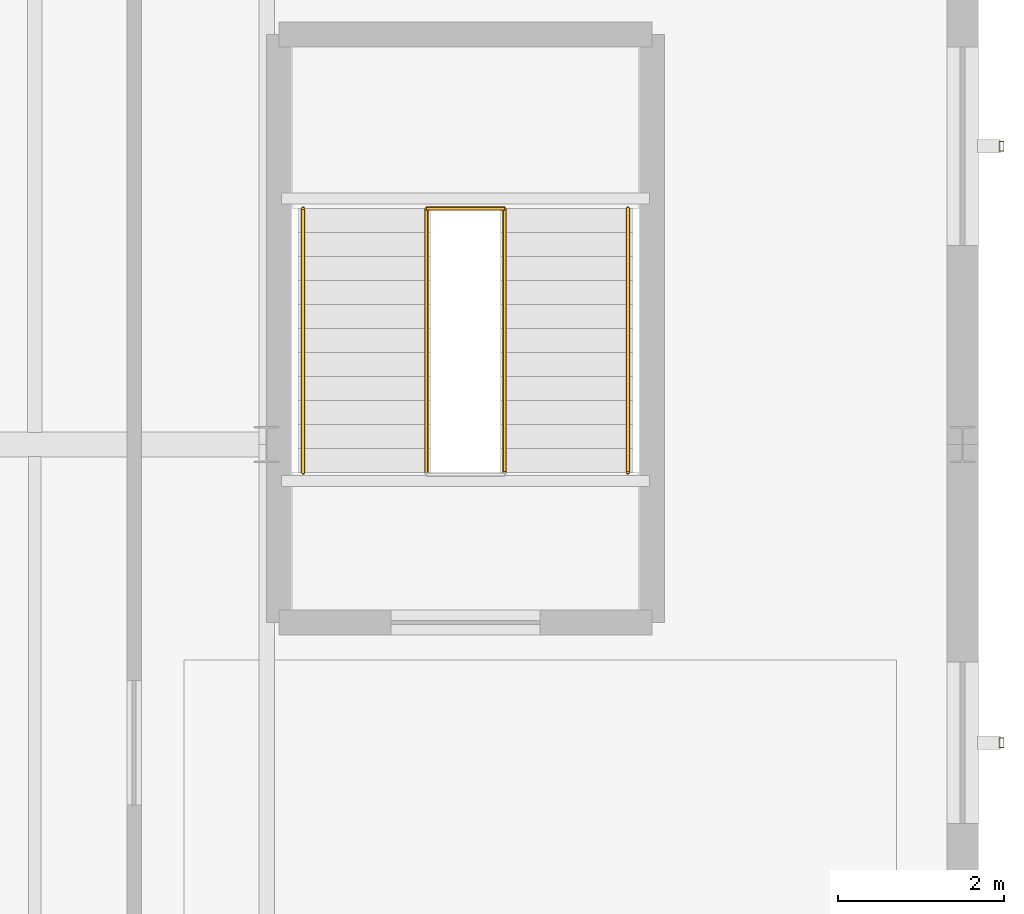
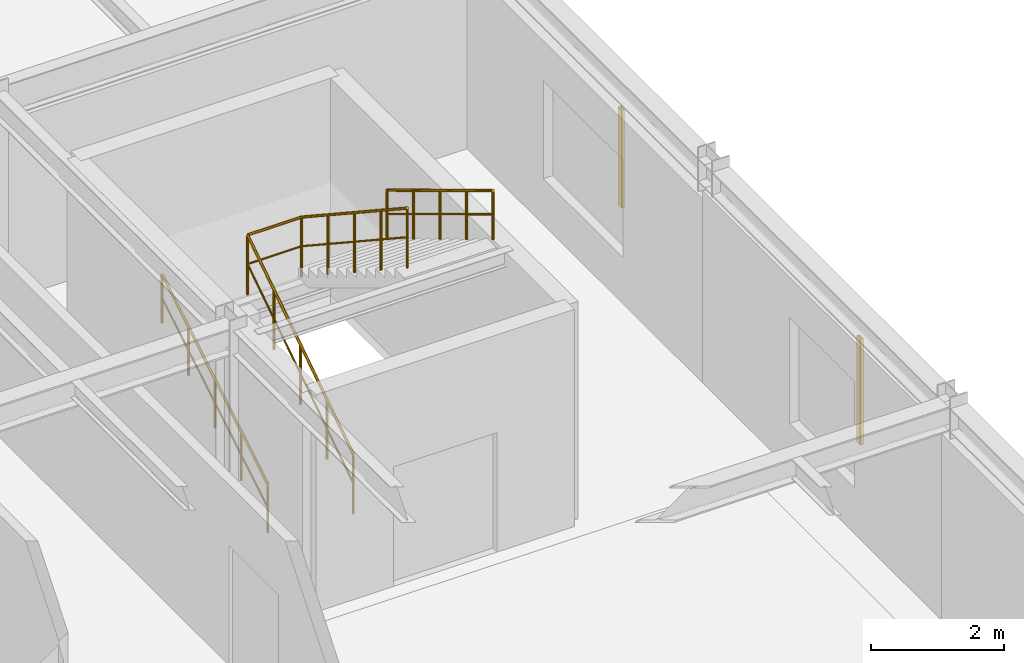
# One storey, part 105 of 109: 5 railings, 2 shading devices.
"""IFC4 building model written with IfcOpenShell, lengths in metres."""

import ifcopenshell
import ifcopenshell.guid

model = None  # the IFC model being written
_history = None  # IfcOwnerHistory: only IFC2X3 demands one
_inside = {}  # id of a spatial element -> (the spatial element, [elements in it])
_under = {}  # id of a project, library or spatial element -> (it, [spatial elements below it])
_declared = {}  # id of a project -> (the project, [libraries it declares])
_typed = {}  # id of a type object -> (the type object, [elements of that type])
_made_of = {}  # id of a material, layer set ... -> (it, [elements and type objects made of it])


def new_model(schema):
    """Start an empty IFC model of exactly this schema.

    Asked for "IFC4X3", IfcOpenShell would pick the latest addendum, in which some entities
    have other attributes; the version numbers below select the first issue.
    IFC2X3 requires an IfcOwnerHistory on every rooted entity: one is made here for all.
    """
    global model, _history
    if schema == "IFC4X3":
        model = ifcopenshell.file(schema_version=(4, 3, 0, 0))
    else:
        model = ifcopenshell.file(schema=schema)
    _inside.clear()
    _under.clear()
    _declared.clear()
    _typed.clear()
    _made_of.clear()
    _history = None
    if model.schema == "IFC2X3":
        org = make("IfcOrganization", Name="unknown")
        user = make(
            "IfcPersonAndOrganization",
            ThePerson=make("IfcPerson", FamilyName="unknown"),
            TheOrganization=org,
        )
        app = make(
            "IfcApplication",
            ApplicationDeveloper=org,
            Version="unknown",
            ApplicationFullName="unknown",
            ApplicationIdentifier="unknown",
        )
        _history = make(
            "IfcOwnerHistory",
            OwningUser=user,
            OwningApplication=app,
            ChangeAction="ADDED",
            CreationDate=0,
        )
    return model


def make(cls, **values):
    """One entity of the class cls with the attributes given. An attribute that is None is left unset."""
    return model.create_entity(
        cls, **{name: value for name, value in values.items() if value is not None}
    )


def rooted(cls, **values):
    """An entity with a GlobalId (a new one), such as an element, a storey or a relation."""
    return make(cls, GlobalId=ifcopenshell.guid.new(), OwnerHistory=_history, **values)


def si_unit(unit_type, name, prefix=None):
    """IfcSIUnit, for example si_unit("LENGTHUNIT", "METRE", prefix="MILLI")."""
    return make("IfcSIUnit", UnitType=unit_type, Prefix=prefix, Name=name)


def derived_unit(unit_type, elements):
    """IfcDerivedUnit: a product of units, each with its exponent."""
    return make(
        "IfcDerivedUnit",
        Elements=[
            make("IfcDerivedUnitElement", Unit=unit, Exponent=power)
            for unit, power in elements
        ],
        UnitType=unit_type,
    )


def assignment(units):
    """IfcUnitAssignment: the units of a project."""
    return None if units is None else make("IfcUnitAssignment", Units=units)


def point(xyz):
    """IfcCartesianPoint."""
    return None if xyz is None else make("IfcCartesianPoint", Coordinates=xyz)


def direction(xyz):
    """IfcDirection."""
    return None if xyz is None else make("IfcDirection", DirectionRatios=xyz)


def frame(location, z_axis=None, x_axis=None):
    """IfcAxis2Placement3D, a coordinate frame: its origin and axes. An axis left out is left unset."""
    return make(
        "IfcAxis2Placement3D",
        Location=point(location),
        Axis=direction(z_axis),
        RefDirection=direction(x_axis),
    )


def frame_2d(location, x_axis=None):
    """IfcAxis2Placement2D, a coordinate frame in the plane: its origin and x axis."""
    return make(
        "IfcAxis2Placement2D", Location=point(location), RefDirection=direction(x_axis)
    )


def origin():
    """The frame at (0, 0, 0) with its axes left unset."""
    return frame((0.0, 0.0, 0.0))


def origin_2d():
    """The frame at (0, 0) in the plane with its x axis left unset."""
    return frame_2d((0.0, 0.0))


def place(relative_to, where):
    """IfcLocalPlacement: puts the frame where relative to a parent placement (None: the world)."""
    return make(
        "IfcLocalPlacement", PlacementRelTo=relative_to, RelativePlacement=where
    )


def context(
    kind, dimensions, precision=None, world=None, true_north=None, identifier=None
):
    """IfcGeometricRepresentationContext, for example the 3D "Model" context."""
    return make(
        "IfcGeometricRepresentationContext",
        ContextIdentifier=identifier,
        ContextType=kind,
        CoordinateSpaceDimension=dimensions,
        Precision=precision,
        WorldCoordinateSystem=world,
        TrueNorth=true_north,
    )


def subcontext(parent, identifier, kind, view, scale=None):
    """IfcGeometricRepresentationSubContext, for example "Body" below "Model"."""
    return make(
        "IfcGeometricRepresentationSubContext",
        ContextIdentifier=identifier,
        ContextType=kind,
        ParentContext=parent,
        TargetScale=scale,
        TargetView=view,
    )


def project(units=None, contexts=None):
    """IfcProject with its units and contexts."""
    return rooted(
        "IfcProject",
        Name="project",
        RepresentationContexts=contexts,
        UnitsInContext=assignment(units),
    )


def spatial(cls, under=None, at=None, **own):
    """A site, building, storey or space (cls), placed at a placement, below another one or the project."""
    s = rooted(cls, ObjectPlacement=at, **own)
    if under is not None:
        _under.setdefault(under.id(), (under, []))[1].append(s)
    return s


def profile(cls, at=None, kind="AREA", **sizes):
    """A parametric profile (cls). Its sizes go by their IFC names, for example OverallWidth=200.0."""
    return make(cls, ProfileType=kind, Position=at, **sizes)


def hollow_rectangle(**sizes):
    """IfcRectangleHollowProfileDef."""
    return profile("IfcRectangleHollowProfileDef", **sizes)


def circle(**sizes):
    """IfcCircleProfileDef."""
    return profile("IfcCircleProfileDef", **sizes)


def extrude(swept, where, along, depth):
    """IfcExtrudedAreaSolid: the profile swept, set in the frame where, extruded along a direction by depth."""
    return make(
        "IfcExtrudedAreaSolid",
        SweptArea=swept,
        Position=where,
        ExtrudedDirection=direction(along),
        Depth=depth,
    )


def shape(context_of_items, identifier, shape_type, items):
    """IfcShapeRepresentation: the items that make up one representation, for example the "Body"."""
    return make(
        "IfcShapeRepresentation",
        ContextOfItems=context_of_items,
        RepresentationIdentifier=identifier,
        RepresentationType=shape_type,
        Items=items,
    )


def material(Name=None, Category=None):
    """IfcMaterial."""
    return make("IfcMaterial", Name=Name, Category=Category)


def material_profile(
    of_material, cross_section, Name=None, Category=None, Priority=None
):
    """IfcMaterialProfile: a cross section and its material."""
    return make(
        "IfcMaterialProfile",
        Name=Name,
        Material=of_material,
        Profile=cross_section,
        Priority=Priority,
        Category=Category,
    )


def profile_set(profiles, Name=None, composite=None):
    """IfcMaterialProfileSet."""
    return make(
        "IfcMaterialProfileSet",
        Name=Name,
        MaterialProfiles=profiles,
        CompositeProfile=composite,
    )


def made_of(thing, what):
    """Note that an element or type object is made of a material, layer set ...; save() writes the relation."""
    if what is not None:
        _made_of.setdefault(what.id(), (what, []))[1].append(thing)
    return thing


def type_object(cls, material=None, **own):
    """A type object (cls), such as IfcWallType, which elements share."""
    return made_of(rooted(cls, **own), material)


def element(
    cls,
    number,
    at=None,
    inside=None,
    cuts=None,
    type_object=None,
    material=None,
    context=None,
    identifier="Body",
    shape_type=None,
    held_by="IfcProductDefinitionShape",
    body=None,
    shapes=None,
    **own,
):
    """One element of the class cls, such as IfcWall. Its Tag is "e" and its number.

    at: its placement. inside: the storey or other place that contains it. cuts: it is an
    opening in that element (IfcRelVoidsElement). A single representation is given by context,
    identifier, shape_type and body (its items); several are given by shapes. held_by: the class
    of the entity that holds the representations. save() writes the other relations.
    """
    e = rooted(cls, Tag="e%d" % number, ObjectPlacement=at, **own)
    if body is not None:
        shapes = [shape(context, identifier, shape_type, body)]
    if shapes is not None:
        e.Representation = make(held_by, Representations=shapes)
    if inside is not None:
        _inside.setdefault(inside.id(), (inside, []))[1].append(e)
    if cuts is not None:
        rooted(
            "IfcRelVoidsElement", RelatingBuildingElement=cuts, RelatedOpeningElement=e
        )
    if type_object is not None:
        _typed.setdefault(type_object.id(), (type_object, []))[1].append(e)
    return made_of(e, material)


def aggregate(whole, parts):
    """IfcRelAggregates: a whole, such as a stair, and the parts it consists of."""
    return rooted("IfcRelAggregates", RelatingObject=whole, RelatedObjects=parts)


def save(model, path):
    """Write the relations noted so far, then the file.

    IfcRelAggregates (storeys below a building ...), IfcRelContainedInSpatialStructure (elements
    in a storey), IfcRelDefinesByType, IfcRelAssociatesMaterial and IfcRelDeclares: one each for
    every whole, place, type object, material and project.
    """
    for whole, parts in _under.values():
        aggregate(whole, parts)
    for where, things in _inside.values():
        rooted(
            "IfcRelContainedInSpatialStructure",
            RelatedElements=things,
            RelatingStructure=where,
        )
    for kind, things in _typed.values():
        rooted("IfcRelDefinesByType", RelatedObjects=things, RelatingType=kind)
    for what, things in _made_of.values():
        rooted("IfcRelAssociatesMaterial", RelatedObjects=things, RelatingMaterial=what)
    for by, libraries in _declared.values():
        rooted("IfcRelDeclares", RelatingContext=by, RelatedDefinitions=libraries)
    model.write(path)


model = new_model("IFC4")

# Units and contexts
model_context = context("Model", 3, precision=1e-05, world=origin(), true_north=direction((0.0, 1.0)))
body_context = subcontext(model_context, "Body", "Model", "MODEL_VIEW")
ifc_project = project(units=[si_unit("LENGTHUNIT", "METRE"), si_unit("AREAUNIT", "SQUARE_METRE"), si_unit("VOLUMEUNIT", "CUBIC_METRE"), si_unit("PLANEANGLEUNIT", "RADIAN"), si_unit("MASSUNIT", "GRAM", prefix="KILO"), derived_unit("THERMALTRANSMITTANCEUNIT", [(si_unit("MASSUNIT", "GRAM", prefix="KILO"), 1), (si_unit("TIMEUNIT", "SECOND"), -3), (si_unit("THERMODYNAMICTEMPERATUREUNIT", "KELVIN"), -1)])], contexts=[model_context])

# Site, building, storey
site_placement = place(None, origin())
site = spatial("IfcSite", under=ifc_project, at=site_placement, CompositionType="ELEMENT")
building_placement = place(site_placement, origin())
building = spatial("IfcBuilding", under=site, at=building_placement, Name="Kharveza Railside Sports Centre", CompositionType="ELEMENT")
storey_placement = place(building_placement, frame((0.0, 0.0, 4.5)))
storey = spatial("IfcBuildingStorey", under=building, at=storey_placement, Name="L01", CompositionType="ELEMENT", Elevation=4.5)

# Railings
ifc_material_1 = material(Name="Steel S275JR", Category="steel")
railing_type_1 = type_object("IfcRailingType", Name="RL-GD110", PredefinedType="GUARDRAIL", material=ifc_material_1)
railing_1_placement = place(storey_placement, frame((161.530029296875, 78.860107421875, 0.0)))
element("IfcRailing", 1, at=railing_1_placement, inside=storey, type_object=railing_type_1, Name="STR-ST4-L01-GD1", PredefinedType="GUARDRAIL", context=body_context, shape_type="SweptSolid", body=[
    extrude(circle(Radius=0.02392578125, at=origin_2d()), frame((0.0, 0.0, 1.09619140625), z_axis=(0.0, 0.835242474824, 0.549881812983), x_axis=(-1.0, 0.0, 0.0)), (0.0, 0.0, 1.0), 3.819091796875),
    extrude(circle(Radius=0.01611328125, at=origin_2d()), frame((0.0, 0.0, 0.56005859375), z_axis=(0.0, 0.835242474824, 0.549881812983), x_axis=(-1.0, 0.0, 0.0)), (0.0, 0.0, 1.0), 3.819091796875),
    extrude(circle(Radius=0.02099609375, at=origin_2d()), origin(), (0.0, 0.0, 1.0), 1.072021484375),
    extrude(circle(Radius=0.02099609375, at=origin_2d()), frame((0.0, 0.79736328125, 0.52490234375)), (0.0, 0.0, 1.0), 1.072021484375),
    extrude(circle(Radius=0.02099609375, at=origin_2d()), frame((0.0, 1.594970703125, 1.050048828125)), (0.0, 0.0, 1.0), 1.072021484375),
    extrude(circle(Radius=0.02099609375, at=origin_2d()), frame((0.0, 2.392578125, 1.5751953125)), (0.0, 0.0, 1.0), 1.072021484375),
    extrude(circle(Radius=0.02099609375, at=origin_2d()), frame((0.0, 3.18994140625, 2.10009765625)), (0.0, 0.0, 1.0), 1.072021484375),
])
railing_2_placement = place(storey_placement, frame((162.469970703125, 82.050048828125, 2.10009765625)))
element("IfcRailing", 2, at=railing_2_placement, inside=storey, type_object=railing_type_1, Name="STR-ST4-L01-GD2", PredefinedType="GUARDRAIL", context=body_context, shape_type="SweptSolid", body=[
    extrude(circle(Radius=0.02392578125, at=origin_2d()), frame((0.0, 0.0, 1.09619140625), z_axis=(0.0, -0.835271834381, 0.549837214719), x_axis=(1.0, 0.0, 0.0)), (0.0, 0.0, 1.0), 3.819091796875),
    extrude(circle(Radius=0.01611328125, at=origin_2d()), frame((0.0, 0.0, 0.56005859375), z_axis=(0.0, -0.835271834381, 0.549837214719), x_axis=(1.0, 0.0, 0.0)), (0.0, 0.0, 1.0), 3.819091796875),
    extrude(circle(Radius=0.02099609375, at=origin_2d()), origin(), (0.0, 0.0, 1.0), 1.072021484375),
    extrude(circle(Radius=0.02099609375, at=origin_2d()), frame((0.0, -0.79736328125, 0.52490234375)), (0.0, 0.0, 1.0), 1.072021484375),
    extrude(circle(Radius=0.02099609375, at=origin_2d()), frame((0.0, -1.594970703125, 1.0498046875)), (0.0, 0.0, 1.0), 1.072021484375),
    extrude(circle(Radius=0.02099609375, at=origin_2d()), frame((0.0, -2.392578125, 1.574951171875)), (0.0, 0.0, 1.0), 1.072021484375),
    extrude(circle(Radius=0.02099609375, at=origin_2d()), frame((0.0, -3.18994140625, 2.099853515625)), (0.0, 0.0, 1.0), 1.072021484375),
])
railing_3_placement = place(storey_placement, frame((161.530029296875, 82.050048828125, 2.10009765625)))
element("IfcRailing", 3, at=railing_3_placement, inside=storey, type_object=railing_type_1, Name="STR-ST4-L01-GDH", PredefinedType="GUARDRAIL", context=body_context, shape_type="SweptSolid", body=[
    extrude(circle(Radius=0.02392578125, at=origin_2d()), frame((0.0, 0.0, 1.09619140625), z_axis=(1.0, 0.0, 0.0), x_axis=(0.0, 1.0, 0.0)), (0.0, 0.0, 1.0), 0.93994140625),
    extrude(circle(Radius=0.01611328125, at=origin_2d()), frame((0.0, 0.0, 0.56005859375), z_axis=(1.0, 0.0, 0.0), x_axis=(0.0, 1.0, 0.0)), (0.0, 0.0, 1.0), 0.93994140625),
    extrude(circle(Radius=0.02099609375, at=origin_2d()), origin(), (0.0, 0.0, 1.0), 1.072021484375),
    extrude(circle(Radius=0.02099609375, at=origin_2d()), frame((0.93994140625, 0.0, 0.0)), (0.0, 0.0, 1.0), 1.072021484375),
])
railing_type_2 = type_object("IfcRailingType", Name="RL-HR092", PredefinedType="HANDRAIL", material=ifc_material_1)
railing_4_placement = place(storey_placement, frame((160.0400390625, 78.860107421875, 0.175048828125)))
element("IfcRailing", 4, at=railing_4_placement, inside=storey, type_object=railing_type_2, Name="STR-ST4-L01-HR1", PredefinedType="HANDRAIL", context=body_context, shape_type="SweptSolid", body=[
    extrude(circle(Radius=0.02392578125, at=origin_2d()), frame((0.0, 0.0, 0.89599609375), z_axis=(0.0, 0.856177665481, 0.516681531633), x_axis=(-1.0, 0.0, 0.0)), (0.0, 0.0, 1.0), 3.725830078125),
    extrude(circle(Radius=0.01611328125, at=origin_2d()), frame((0.0, 0.0, 0.4599609375), z_axis=(0.0, 0.856177665481, 0.516681531633), x_axis=(-1.0, 0.0, 0.0)), (0.0, 0.0, 1.0), 3.725830078125),
    extrude(circle(Radius=0.02099609375, at=origin_2d()), origin(), (0.0, 0.0, 1.0), 0.871826171875),
    extrude(circle(Radius=0.02099609375, at=origin_2d()), frame((0.0, 0.79736328125, 0.481201171875)), (0.0, 0.0, 1.0), 0.871826171875),
    extrude(circle(Radius=0.02099609375, at=origin_2d()), frame((0.0, 1.594970703125, 0.96240234375)), (0.0, 0.0, 1.0), 0.871826171875),
    extrude(circle(Radius=0.02099609375, at=origin_2d()), frame((0.0, 2.392578125, 1.44384765625)), (0.0, 0.0, 1.0), 0.871826171875),
    extrude(circle(Radius=0.02099609375, at=origin_2d()), frame((0.0, 3.18994140625, 1.925048828125)), (0.0, 0.0, 1.0), 0.871826171875),
])
railing_5_placement = place(storey_placement, frame((163.9599609375, 82.050048828125, 2.27490234375)))
element("IfcRailing", 5, at=railing_5_placement, inside=storey, type_object=railing_type_2, Name="STR-ST4-L01-HR2", PredefinedType="HANDRAIL", context=body_context, shape_type="SweptSolid", body=[
    extrude(circle(Radius=0.02392578125, at=origin_2d()), frame((0.0, 0.0, 0.89599609375), z_axis=(0.0, -0.856177665481, 0.516681531633), x_axis=(1.0, 0.0, 0.0)), (0.0, 0.0, 1.0), 3.725830078125),
    extrude(circle(Radius=0.01611328125, at=origin_2d()), frame((0.0, 0.0, 0.4599609375), z_axis=(0.0, -0.856177665481, 0.516681531633), x_axis=(1.0, 0.0, 0.0)), (0.0, 0.0, 1.0), 3.725830078125),
    extrude(circle(Radius=0.02099609375, at=origin_2d()), origin(), (0.0, 0.0, 1.0), 0.871826171875),
    extrude(circle(Radius=0.02099609375, at=origin_2d()), frame((0.0, -0.79736328125, 0.481201171875)), (0.0, 0.0, 1.0), 0.871826171875),
    extrude(circle(Radius=0.02099609375, at=origin_2d()), frame((0.0, -1.594970703125, 0.96240234375)), (0.0, 0.0, 1.0), 0.871826171875),
    extrude(circle(Radius=0.02099609375, at=origin_2d()), frame((0.0, -2.392578125, 1.44384765625)), (0.0, 0.0, 1.0), 0.871826171875),
    extrude(circle(Radius=0.02099609375, at=origin_2d()), frame((0.0, -3.18994140625, 1.925048828125)), (0.0, 0.0, 1.0), 0.871826171875),
])

# Shading devices
ifc_material_2 = material(Name="Anodised aluminium 6063-T6", Category="aluminium")
ifc_material_profile = material_profile(ifc_material_2, hollow_rectangle(XDim=0.06005859375, YDim=0.1201171875, WallThickness=0.0048828125, InnerFilletRadius=0.0048828125, OuterFilletRadius=0.010009765625, at=origin_2d()), Name="RHS 60x120x5.0")
ifc_profile_set = profile_set([ifc_material_profile], Name="Anodised aluminium 6063-T6")
shading_device_type = type_object("IfcShadingDeviceType", Name="SD-LV01", PredefinedType="JALOUSIE", material=ifc_profile_set)
shading_device_1_placement = place(storey_placement, frame((168.469970703125, 75.60009765625, 0.85009765625), z_axis=(0.0, 0.0, 1.0), x_axis=(1.0, 0.0, 0.0)))
element("IfcShadingDevice", 6, at=shading_device_1_placement, inside=storey, type_object=shading_device_type, Name="SD-FIN-045", PredefinedType="JALOUSIE", context=body_context, shape_type="SweptSolid", body=[
    extrude(hollow_rectangle(XDim=0.06005859375, YDim=0.1201171875, WallThickness=0.0048828125, InnerFilletRadius=0.0048828125, OuterFilletRadius=0.010009765625, at=origin_2d()), origin(), (0.0, 0.0, 1.0), 1.949951171875),
])
shading_device_2_placement = place(storey_placement, frame((168.469970703125, 82.800048828125, 0.85009765625), z_axis=(0.0, 0.0, 1.0), x_axis=(1.0, 0.0, 0.0)))
element("IfcShadingDevice", 7, at=shading_device_2_placement, inside=storey, type_object=shading_device_type, Name="SD-FIN-046", PredefinedType="JALOUSIE", context=body_context, shape_type="SweptSolid", body=[
    extrude(hollow_rectangle(XDim=0.06005859375, YDim=0.1201171875, WallThickness=0.0048828125, InnerFilletRadius=0.0048828125, OuterFilletRadius=0.010009765625, at=origin_2d()), origin(), (0.0, 0.0, 1.0), 1.7998046875),
])

save(model, "model.ifc")
